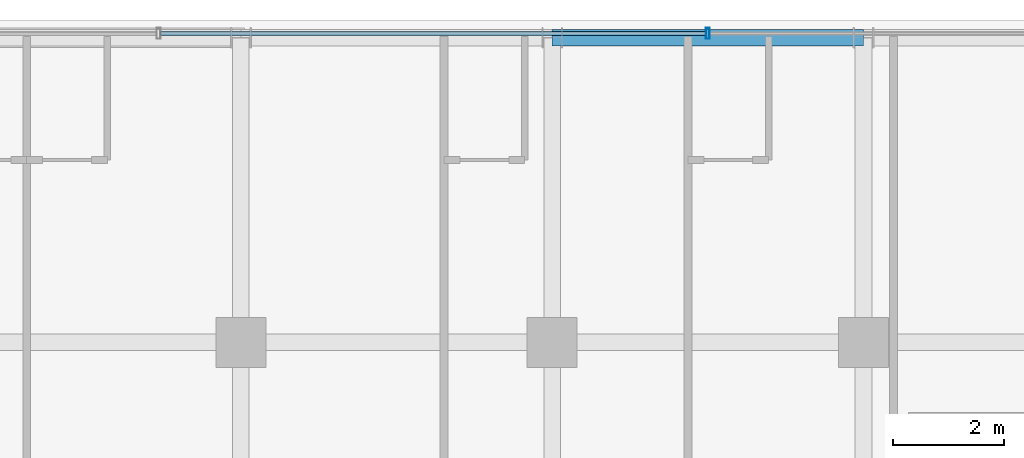
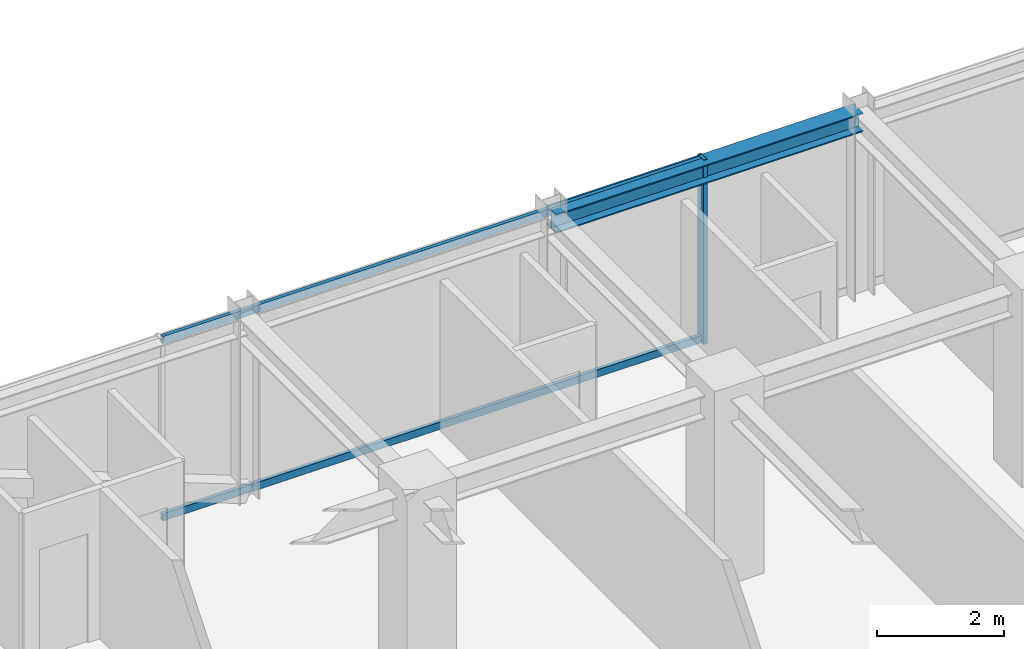
# One storey, part 25 of 37: 3 members, 1 beam, 1 element without a shape of its own.
"""IFC4 building model written with IfcOpenShell, lengths in metres."""

from ifc_helpers import new_model, si_unit, direction, frame, origin, origin_2d, place, context, subcontext, project, spatial, hollow_rectangle, i_section, extrude, source, transform, mapped, material, material_profile, profile_set, type_object, element, aggregate, save


model = new_model("IFC4")

# Units and contexts
model_context = context("Model", 3, precision=1e-05, world=origin(), true_north=direction((0.0, 1.0)))
body_context = subcontext(model_context, "Body", "Model", "MODEL_VIEW")
ifc_project = project(units=[si_unit("LENGTHUNIT", "METRE"), si_unit("AREAUNIT", "SQUARE_METRE"), si_unit("VOLUMEUNIT", "CUBIC_METRE"), si_unit("PLANEANGLEUNIT", "RADIAN"), si_unit("MASSUNIT", "GRAM", prefix="KILO")], contexts=[model_context])

# Site, building, storey
site_placement = place(None, origin())
site = spatial("IfcSite", under=ifc_project, at=site_placement, CompositionType="ELEMENT")
building_placement = place(site_placement, origin())
building = spatial("IfcBuilding", under=site, at=building_placement, Name="Nahalor Promenade Grand Hotel", CompositionType="ELEMENT")
storey_placement = place(building_placement, frame((0.0, 0.0, 308.050048828125)))
storey = spatial("IfcBuildingStorey", under=building, at=storey_placement, Name="L79", CompositionType="ELEMENT", Elevation=308.050048828125)

# Beam
ifc_material_1 = material(Name="Steel S355JR", Category="steel")
ifc_material_profile_1 = material_profile(ifc_material_1, i_section(OverallWidth=0.3, OverallDepth=0.36, WebThickness=0.0125, FlangeThickness=0.0225, at=origin_2d()), Name="HEB 360")
ifc_profile_set_1 = profile_set([ifc_material_profile_1], Name="Steel S355JR")
beam_type = type_object("IfcBeamType", Name="Beam-Spandrel-HEB360", PredefinedType="SPANDREL", material=ifc_profile_set_1)
shared_shape_1 = source(origin(), body_context, "Body", "SweptSolid", [
    extrude(i_section(OverallWidth=0.3, OverallDepth=0.36, WebThickness=0.0125, FlangeThickness=0.0225, at=origin_2d()), origin(), (0.0, 0.0, 1.0), 5.60009765625),
])
beam_placement = place(storey_placement, frame((-2.800048828125, 22.47998046875, 3.369873046875), z_axis=(1.0, 0.0, 0.0), x_axis=(0.0, 1.0, 0.0)))
element("IfcBeam", 1, at=beam_placement, inside=storey, type_object=beam_type, Name="BM-L79-SP-N-2", PredefinedType="SPANDREL", context=body_context, shape_type="MappedRepresentation", body=[
    mapped(shared_shape_1, transform((0.0, 0.0, 0.0), scale=1.0)),
])

# Curtain wall, members
ifc_material_2 = material(Name="Anodised Bronze Aluminium EN AW-6063 T6", Category="aluminium")
curtain_wall_type = type_object("IfcCurtainWallType", Name="CW3 Elliptical-Void Collar Unitised Curtain Wall", PredefinedType="USERDEFINED", material=ifc_material_2)
curtain_wall_placement = place(storey_placement, origin())
curtain_wall = element("IfcCurtainWall", 2, at=curtain_wall_placement, inside=storey, type_object=curtain_wall_type, Name="L79 Curtain Wall CW-L79-N-1", ObjectType="UNITISED_CURTAIN_WALL", PredefinedType="USERDEFINED")
ifc_material_profile_2 = material_profile(ifc_material_2, hollow_rectangle(XDim=0.07, YDim=0.14, WallThickness=0.004, at=origin_2d()), Name="CWT 70x140x4")
ifc_profile_set_2 = profile_set([ifc_material_profile_2], Name="Anodised Bronze Aluminium EN AW-6063 T6")
member_type_1 = type_object("IfcMemberType", Name="CWT3 Void Collar Transom 70x140", PredefinedType="USERDEFINED", material=ifc_profile_set_2)
shared_shape_2 = source(origin(), body_context, "Body", "SweptSolid", [
    extrude(hollow_rectangle(XDim=0.07, YDim=0.14, WallThickness=0.004, at=origin_2d()), origin(), (0.0, 0.0, 1.0), 9.81005859375),
])
member_1_placement = place(storey_placement, frame((-9.844970703125, 22.56005859375, 0.070068359375), z_axis=(1.0, 0.0, 0.0), x_axis=(0.0, 1.0, 0.0)))
member_1 = element("IfcMember", 3, at=member_1_placement, type_object=member_type_1, Name="CW-L79-N-1 Transom 1-0", ObjectType="TRANSOM", PredefinedType="USERDEFINED", context=body_context, shape_type="MappedRepresentation", body=[
    mapped(shared_shape_2, transform((0.0, 0.0, 0.0), scale=1.0)),
])
member_2_placement = place(storey_placement, frame((-9.844970703125, 22.56005859375, 3.47998046875), z_axis=(1.0, 0.0, 0.0), x_axis=(0.0, 1.0, 0.0)))
member_2 = element("IfcMember", 4, at=member_2_placement, type_object=member_type_1, Name="CW-L79-N-1 Transom 1-1", ObjectType="TRANSOM", PredefinedType="USERDEFINED", context=body_context, shape_type="MappedRepresentation", body=[
    mapped(shared_shape_2, transform((0.0, 0.0, 0.0), scale=1.0)),
])
ifc_material_profile_3 = material_profile(ifc_material_2, hollow_rectangle(XDim=0.07, YDim=0.2, WallThickness=0.005, at=origin_2d()), Name="CWM 70x200x5")
ifc_profile_set_3 = profile_set([ifc_material_profile_3], Name="Anodised Bronze Aluminium EN AW-6063 T6")
member_type_2 = type_object("IfcMemberType", Name="CWM3 Void Collar Mullion 70x200", PredefinedType="MULLION", material=ifc_profile_set_3)
shared_shape_3 = source(origin(), body_context, "Body", "SweptSolid", [
    extrude(hollow_rectangle(XDim=0.07, YDim=0.2, WallThickness=0.005, at=origin_2d()), origin(), (0.0, 0.0, 1.0), 3.550048828125),
])
member_3_placement = place(storey_placement, frame((0.0, 22.56005859375, 0.0), z_axis=(0.0, 0.0, 1.0), x_axis=(1.0, 0.0, 0.0)))
member_3 = element("IfcMember", 5, at=member_3_placement, type_object=member_type_2, Name="CW-L79-N-1 Mullion 2", PredefinedType="MULLION", context=body_context, shape_type="MappedRepresentation", body=[
    mapped(shared_shape_3, transform((0.0, 0.0, 0.0), scale=1.0)),
])
aggregate(curtain_wall, [member_3, member_1, member_2])

save(model, "model.ifc")
